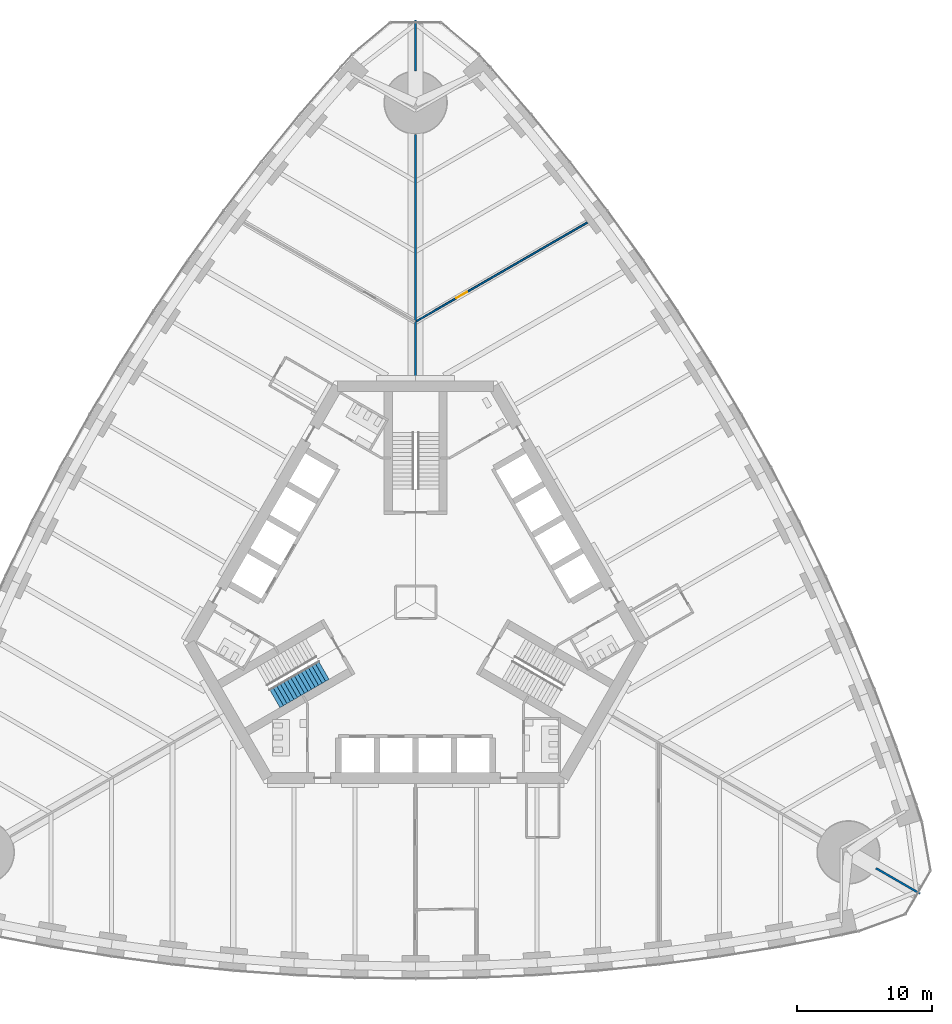
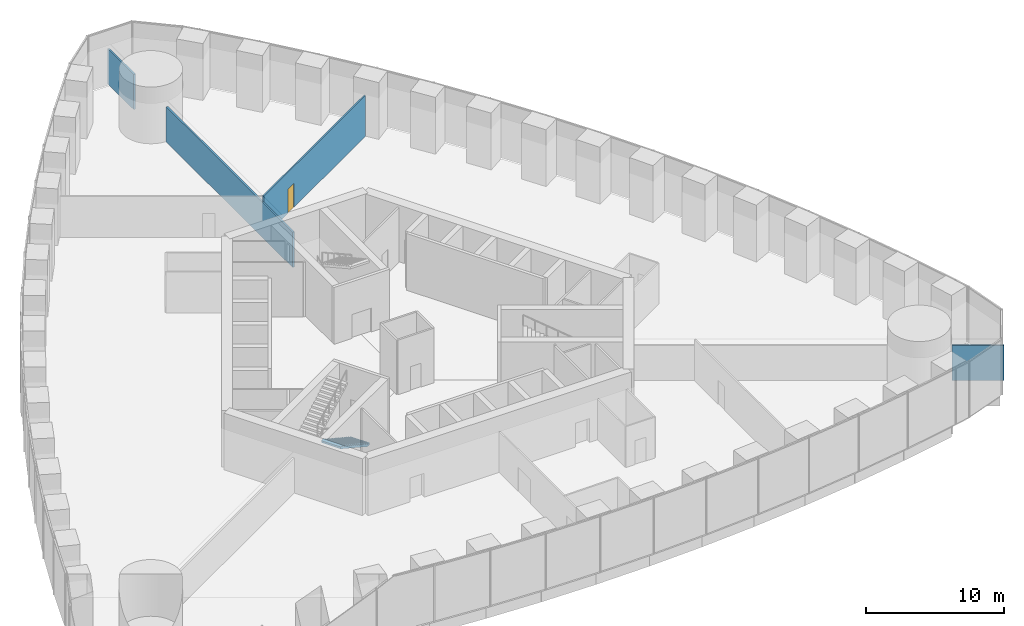
# One storey, part 17 of 21: 4 walls, 1 door, 1 stair flight, 1 opening, 1 element without a shape of its own.
"""IFC4 building model written with IfcOpenShell, lengths in metres."""

from ifc_helpers import new_model, si_unit, direction, frame, frame_2d, origin, place, context, subcontext, project, spatial, polyline, rectangle, outline, extrude, material, layer, layer_set, type_object, element, fill, aggregate, save


model = new_model("IFC4")

# Units and contexts
model_context = context("Model", 3, precision=1e-05, world=origin(), true_north=direction((0.0, 1.0)))
body_context = subcontext(model_context, "Body", "Model", "MODEL_VIEW")
ifc_project = project(units=[si_unit("LENGTHUNIT", "METRE"), si_unit("AREAUNIT", "SQUARE_METRE"), si_unit("VOLUMEUNIT", "CUBIC_METRE"), si_unit("PLANEANGLEUNIT", "RADIAN"), si_unit("MASSUNIT", "GRAM", prefix="KILO")], contexts=[model_context])

# Site, building, storey
site_placement = place(None, origin())
site = spatial("IfcSite", under=ifc_project, at=site_placement, CompositionType="ELEMENT")
building_placement = place(site_placement, origin())
building = spatial("IfcBuilding", under=site, at=building_placement, Name="Trefoil Bronze Tower", CompositionType="ELEMENT")
storey_placement = place(building_placement, frame((0.0, 0.0, 6.5)))
storey = spatial("IfcBuildingStorey", under=building, at=storey_placement, Name="L01", CompositionType="ELEMENT", Elevation=6.5)

# Wall, opening, door
ifc_material_1 = material(Name="Glazed partition", Category="glass")
ifc_layer_1 = layer(ifc_material_1, 0.1201171875)
ifc_layer_set_1 = layer_set([ifc_layer_1], Name="Glazed partition 120")
wall_type_1 = type_object("IfcWallType", Name="Glazed partition 120", PredefinedType="PARTITIONING", material=ifc_layer_set_1)
wall_1_placement = place(storey_placement, frame((0.025146484375, 20.799072265625, 0.0), z_axis=(0.0, 0.0, 1.0), x_axis=(0.866024773507, 0.50000109167, 0.0)))
wall_1 = element("IfcWall", 1, at=wall_1_placement, inside=storey, type_object=wall_type_1, Name="Partition F2 L01", PredefinedType="PARTITIONING", context=body_context, shape_type="SweptSolid", body=[
    extrude(rectangle(XDim=14.63818359375, YDim=0.1201171875, at=frame_2d((7.319091796875, 0.0))), origin(), (0.0, 0.0, 1.0), 3.60009765625),
])
opening_placement = place(wall_1_placement, frame((3.449951171875, 0.0, 0.0)))
opening = element("IfcOpeningElement", 2, at=opening_placement, cuts=wall_1, Name="Opening D8", PredefinedType="OPENING", context=body_context, shape_type="SweptSolid", body=[
    extrude(rectangle(XDim=0.89990234375, YDim=2.10009765625, at=frame_2d((0.449951171875, 1.050048828125))), frame((0.0, 0.070068359375, 0.0), z_axis=(0.0, -1.0, 0.0), x_axis=(1.0, 0.0, 0.0)), (0.0, 0.0, 1.0), 0.14013671875),
])
ifc_material_2 = material(Name="Timber door", Category="wood")
door_type = type_object("IfcDoorType", Name="Office door 900", OperationType="SINGLE_SWING_LEFT", PredefinedType="DOOR", material=ifc_material_2)
door_placement = place(opening_placement, origin())
door = element("IfcDoor", 3, at=door_placement, inside=storey, type_object=door_type, Name="Plant room door F2 L01", OperationType="SINGLE_SWING_LEFT", OverallHeight=2.10009765625, OverallWidth=0.89990234375, PredefinedType="DOOR", context=body_context, shape_type="SweptSolid", body=[
    extrude(rectangle(XDim=0.89990234375, YDim=2.10009765625, at=frame_2d((0.449951171875, 1.050048828125))), frame((0.0, 0.02490234375, 0.0), z_axis=(0.0, -1.0, 0.0), x_axis=(1.0, 0.0, 0.0)), (0.0, 0.0, 1.0), 0.050048828125),
])
fill(opening, door)

# Walls
ifc_material_3 = material(Name="Gypsum board on steel studs", Category="steel")
ifc_layer_2 = layer(ifc_material_3, 0.14990234375)
ifc_layer_set_2 = layer_set([ifc_layer_2], Name="Party wall 150")
wall_type_2 = type_object("IfcWallType", Name="Party wall 150", PredefinedType="PARTITIONING", material=ifc_layer_set_2)
wall_2_placement = place(storey_placement, frame((34.078125, -19.675048828125, 0.0), z_axis=(0.0, 0.0, 1.0), x_axis=(0.866019247219, -0.500010663332, 0.0)))
element("IfcWall", 4, at=wall_2_placement, inside=storey, type_object=wall_type_2, Name="Party wall K1 L01", PredefinedType="PARTITIONING", context=body_context, shape_type="SweptSolid", body=[
    extrude(rectangle(XDim=3.76416015625, YDim=0.14990234375, at=frame_2d((1.882080078125, 0.0))), origin(), (0.0, 0.0, 1.0), 3.10009765625),
])
wall_3_placement = place(storey_placement, frame((0.0, 16.39990234375, 0.0), z_axis=(0.0, 0.0, 1.0), x_axis=(0.0, 1.0, 0.0)))
element("IfcWall", 5, at=wall_3_placement, inside=storey, type_object=wall_type_2, Name="Party wall K2 L01", PredefinedType="PARTITIONING", context=body_context, shape_type="SweptSolid", body=[
    extrude(rectangle(XDim=18.25, YDim=0.14990234375, at=frame_2d((9.125, 0.0))), origin(), (0.0, 0.0, 1.0), 3.10009765625),
])
wall_4_placement = place(storey_placement, frame((0.0, 39.35009765625, 0.0), z_axis=(0.0, 0.0, 1.0), x_axis=(0.0, 1.0, 0.0)))
element("IfcWall", 6, at=wall_4_placement, inside=storey, type_object=wall_type_2, Name="Party wall K2 L01", PredefinedType="PARTITIONING", context=body_context, shape_type="SweptSolid", body=[
    extrude(rectangle(XDim=3.763916015625, YDim=0.14990234375, at=frame_2d((1.8818359375, 0.0))), origin(), (0.0, 0.0, 1.0), 3.10009765625),
])

# Stair, stair flight
ifc_material_4 = material(Name="Precast concrete B80", Category="concrete")
stair_type = type_object("IfcStairType", Name="Exit stair 30 risers", PredefinedType="HALF_TURN_STAIR", material=ifc_material_4)
stair_placement = place(storey_placement, origin())
stair = element("IfcStair", 7, at=stair_placement, inside=storey, type_object=stair_type, Name="Stair ST3 L01", PredefinedType="HALF_TURN_STAIR")
ifc_material_5 = material(Name="Precast concrete B80", Category="concrete")
stair_flight_type = type_object("IfcStairFlightType", Name="Stair flight 1600", PredefinedType="STRAIGHT", material=ifc_material_5)
stair_flight_placement = place(storey_placement, frame((-6.803466796875, -4.99609375, 0.0), z_axis=(0.0, 0.0, 1.0), x_axis=(-0.866025403784, -0.5, 0.0)))
stair_flight = element("IfcStairFlight", 8, at=stair_flight_placement, type_object=stair_flight_type, Name="ST3 flight 1", NumberOfRisers=15, NumberOfTreads=14, PredefinedType="STRAIGHT", RiserHeight=0.166666667, TreadLength=0.3, context=body_context, shape_type="SweptSolid", body=[
    extrude(outline(polyline([(0.0, 0.0), (0.0, 0.166748046875), (0.300048828125, 0.166748046875), (0.300048828125, 0.333251953125), (0.60009765625, 0.333251953125), (0.60009765625, 0.5), (0.89990234375, 0.5), (0.89990234375, 0.666748046875), (1.199951171875, 0.666748046875), (1.199951171875, 0.833251953125), (1.5, 0.833251953125), (1.5, 1.0), (1.800048828125, 1.0), (1.800048828125, 1.166748046875), (2.10009765625, 1.166748046875), (2.10009765625, 1.333251953125), (2.39990234375, 1.333251953125), (2.39990234375, 1.5), (2.699951171875, 1.5), (2.699951171875, 1.666748046875), (3.0, 1.666748046875), (3.0, 1.833251953125), (3.300048828125, 1.833251953125), (3.300048828125, 2.0), (3.60009765625, 2.0), (3.60009765625, 2.166748046875), (3.89990234375, 2.166748046875), (3.89990234375, 2.333251953125), (4.199951171875, 2.333251953125), (4.199951171875, 2.5), (4.199951171875, 2.161865234375), (0.30859375, 0.0), (0.0, 0.0)])), frame((0.0, 0.800048828125, 0.0), z_axis=(0.0, -1.0, 0.0), x_axis=(1.0, 0.0, 0.0)), (0.0, 0.0, 1.0), 1.60009765625),
])
aggregate(stair, [stair_flight])

save(model, "model.ifc")
